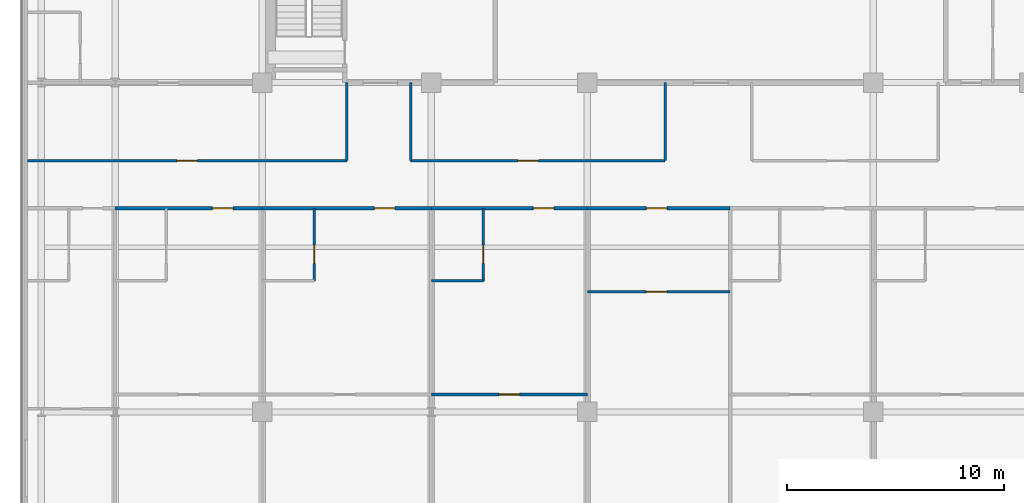
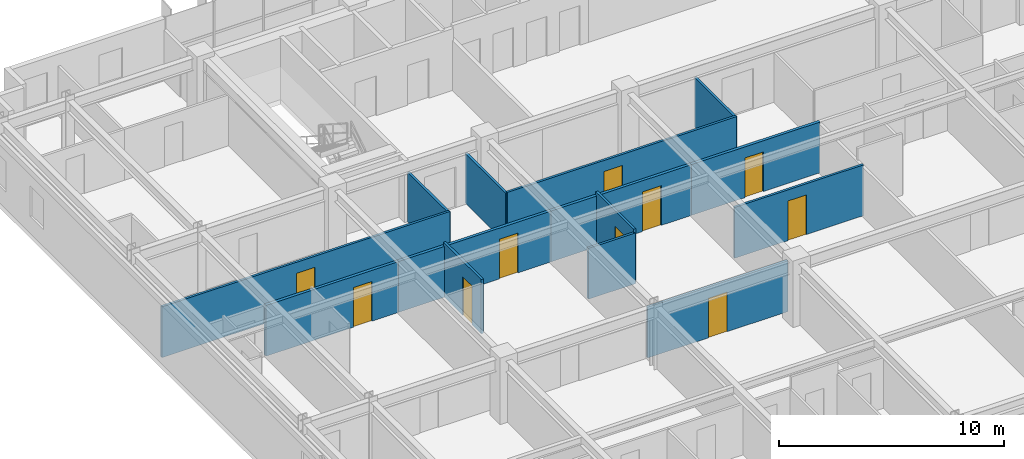
# One storey, part 16 of 24: 14 walls, 10 doors, 10 openings.
"""IFC4 building model written with IfcOpenShell, lengths in metres."""

from ifc_helpers import new_model, si_unit, direction, frame, frame_2d, origin, place, context, subcontext, project, spatial, rectangle, extrude, source, transform, mapped, material, layer, layer_set, type_object, element, fill, save


model = new_model("IFC4")

# Units and contexts
model_context = context("Model", 3, precision=1e-05, world=origin(), true_north=direction((0.0, 1.0)))
body_context = subcontext(model_context, "Body", "Model", "MODEL_VIEW")
ifc_project = project(units=[si_unit("LENGTHUNIT", "METRE"), si_unit("AREAUNIT", "SQUARE_METRE"), si_unit("VOLUMEUNIT", "CUBIC_METRE"), si_unit("PLANEANGLEUNIT", "RADIAN"), si_unit("MASSUNIT", "GRAM", prefix="KILO")], contexts=[model_context])

# Site, building, storey
site_placement = place(None, origin())
site = spatial("IfcSite", under=ifc_project, at=site_placement, CompositionType="ELEMENT")
building_placement = place(site_placement, origin())
building = spatial("IfcBuilding", under=site, at=building_placement, Name="Trelvane Seafront Commons", CompositionType="ELEMENT")
storey_placement = place(building_placement, frame((0.0, 0.0, 27.10009765625)))
storey = spatial("IfcBuildingStorey", under=building, at=storey_placement, Name="L06", CompositionType="ELEMENT", Elevation=27.10009765625)

# Wall, opening, door
ifc_material_1 = material(Name="Gypsum Drywall Acoustic Partition")
ifc_layer_1 = layer(ifc_material_1, 0.1201171875, Name="ARCH-WALL-PART120")
ifc_layer_set_1 = layer_set([ifc_layer_1], Name="Gypsum Drywall Acoustic Partition")
wall_type_1 = type_object("IfcWallType", Name="ARCH-WALL-PART120", PredefinedType="PARTITIONING", material=ifc_layer_set_1)
wall_1_placement = place(storey_placement, frame((4.75, 29.800048828125, 0.0), z_axis=(0.0, 0.0, 1.0), x_axis=(1.0, 0.0, 0.0)))
wall_1 = element("IfcWall", 1, at=wall_1_placement, inside=storey, type_object=wall_type_1, Name="W-L06-CORR-N-W-038", PredefinedType="PARTITIONING", context=body_context, shape_type="SweptSolid", body=[
    extrude(rectangle(XDim=14.75, YDim=0.1201171875, at=frame_2d((7.375, 0.0))), origin(), (0.0, 0.0, 1.0), 2.751953125),
])
opening_1_placement = place(wall_1_placement, frame((6.89990234375, 0.0, 0.0)))
opening_1 = element("IfcOpeningElement", 2, at=opening_1_placement, cuts=wall_1, Name="Opening D-L06-17", PredefinedType="OPENING", context=body_context, shape_type="SweptSolid", body=[
    extrude(rectangle(XDim=0.949951171875, YDim=2.14990234375, at=frame_2d((0.47509765625, 1.074951171875))), frame((0.0, 0.070068359375, 0.0), z_axis=(0.0, -1.0, 0.0), x_axis=(1.0, 0.0, 0.0)), (0.0, 0.0, 1.0), 0.14013671875),
])
ifc_material_2 = material(Name="Acoustic timber door leaf", Category="wood")
door_type_1 = type_object("IfcDoorType", Name="ARCH-DR-INT950", OperationType="NOTDEFINED", PredefinedType="DOOR", material=ifc_material_2)
shared_shape_1 = source(origin(), body_context, "Body", "SweptSolid", [
    extrude(rectangle(XDim=0.949951171875, YDim=2.14990234375, at=frame_2d((0.47509765625, 1.074951171875))), frame((0.0, 0.02490234375, 0.0), z_axis=(0.0, -1.0, 0.0), x_axis=(1.0, 0.0, 0.0)), (0.0, 0.0, 1.0), 0.050048828125),
])
door_1_placement = place(opening_1_placement, origin())
door_1 = element("IfcDoor", 3, at=door_1_placement, inside=storey, type_object=door_type_1, Name="L06 Door 17", OperationType="SINGLE_SWING_LEFT", OverallHeight=2.14990234375, OverallWidth=0.949951171875, PredefinedType="DOOR", context=body_context, shape_type="MappedRepresentation", body=[
    mapped(shared_shape_1, transform((0.0, 0.0, 0.0), x_axis=(1.0, 0.0, 0.0), y_axis=(0.0, 1.0, 0.0), z_axis=(0.0, 0.0, 1.0), scale=1.0)),
])
fill(opening_1, door_1)

wall_2_placement = place(storey_placement, frame((22.449951171875, 29.800048828125, 0.0), z_axis=(0.0, 0.0, 1.0), x_axis=(1.0, 0.0, 0.0)))
wall_2 = element("IfcWall", 4, at=wall_2_placement, inside=storey, type_object=wall_type_1, Name="W-L06-CORR-N-M1-039", PredefinedType="PARTITIONING", context=body_context, shape_type="SweptSolid", body=[
    extrude(rectangle(XDim=11.75, YDim=0.1201171875, at=frame_2d((5.875, 0.0))), origin(), (0.0, 0.0, 1.0), 2.751953125),
])
opening_2_placement = place(wall_2_placement, frame((4.944091796875, 0.0, 0.0)))
opening_2 = element("IfcOpeningElement", 5, at=opening_2_placement, cuts=wall_2, Name="Opening D-L06-18", PredefinedType="OPENING", context=body_context, shape_type="SweptSolid", body=[
    extrude(rectangle(XDim=0.949951171875, YDim=2.14990234375, at=frame_2d((0.47509765625, 1.074951171875))), frame((0.0, 0.070068359375, 0.0), z_axis=(0.0, -1.0, 0.0), x_axis=(1.0, 0.0, 0.0)), (0.0, 0.0, 1.0), 0.14013671875),
])
door_2_placement = place(opening_2_placement, origin())
door_2 = element("IfcDoor", 6, at=door_2_placement, inside=storey, type_object=door_type_1, Name="L06 Door 18", OperationType="SINGLE_SWING_RIGHT", OverallHeight=2.14990234375, OverallWidth=0.949951171875, PredefinedType="DOOR", context=body_context, shape_type="MappedRepresentation", body=[
    mapped(shared_shape_1, transform((0.0, 0.0, 0.0), x_axis=(1.0, 0.0, 0.0), y_axis=(0.0, 1.0, 0.0), z_axis=(0.0, 0.0, 1.0), scale=1.0)),
])
fill(opening_2, door_2)

# Walls
for number, where, z_axis, x_axis, name in (
    (7, (19.5, 29.800048828125, 0.0), (0.0, 0.0, 1.0), (0.0, 1.0, 0.0), "W-L06-N-SPUR-W1-043"),
    (8, (22.449951171875, 29.800048828125, 0.0), (0.0, 0.0, 1.0), (0.0, 1.0, 0.0), "W-L06-N-SPUR-W2-044"),
    (9, (34.199951171875, 29.800048828125, 0.0), (0.0, 0.0, 1.0), (0.0, 1.0, 0.0), "W-L06-N-SPUR-M1-045"),
):
    element("IfcWall", number, at=place(storey_placement, frame(where, z_axis=z_axis, x_axis=x_axis)), inside=storey, type_object=wall_type_1, Name=name, PredefinedType="PARTITIONING", context=body_context, shape_type="SweptSolid", body=[
        extrude(rectangle(XDim=3.599853515625, YDim=0.1201171875, at=frame_2d((1.7998046875, 0.0))), origin(), (0.0, 0.0, 1.0), 2.68994140625),
    ])

# Wall, opening, door
wall_3_placement = place(storey_placement, frame((18.0, 24.25, 0.0), z_axis=(0.0, 0.0, 1.0), x_axis=(0.0, 1.0, 0.0)))
wall_3 = element("IfcWall", 10, at=wall_3_placement, inside=storey, type_object=wall_type_1, Name="W-L06-U3-BE-086", PredefinedType="PARTITIONING", context=body_context, shape_type="SweptSolid", body=[
    extrude(rectangle(XDim=3.35009765625, YDim=0.1201171875, at=frame_2d((1.675048828125, 0.0))), origin(), (0.0, 0.0, 1.0), 2.93994140625),
])
opening_3_placement = place(wall_3_placement, frame((0.800048828125, 0.0, 0.0)))
opening_3 = element("IfcOpeningElement", 11, at=opening_3_placement, cuts=wall_3, Name="Opening D-L06-43", PredefinedType="OPENING", context=body_context, shape_type="SweptSolid", body=[
    extrude(rectangle(XDim=0.85009765625, YDim=2.10009765625, at=frame_2d((0.425048828125, 1.050048828125))), frame((0.0, 0.070068359375, 0.0), z_axis=(0.0, -1.0, 0.0), x_axis=(1.0, 0.0, 0.0)), (0.0, 0.0, 1.0), 0.14013671875),
])
door_type_2 = type_object("IfcDoorType", Name="ARCH-DR-INT850", OperationType="NOTDEFINED", PredefinedType="DOOR", material=ifc_material_2)
shared_shape_2 = source(origin(), body_context, "Body", "SweptSolid", [
    extrude(rectangle(XDim=0.85009765625, YDim=2.10009765625, at=frame_2d((0.425048828125, 1.050048828125))), frame((0.0, 0.02490234375, 0.0), z_axis=(0.0, -1.0, 0.0), x_axis=(1.0, 0.0, 0.0)), (0.0, 0.0, 1.0), 0.050048828125),
])
door_3_placement = place(opening_3_placement, origin())
door_3 = element("IfcDoor", 12, at=door_3_placement, inside=storey, type_object=door_type_2, Name="L06 Door 43", OperationType="SINGLE_SWING_LEFT", OverallHeight=2.10009765625, OverallWidth=0.85009765625, PredefinedType="DOOR", context=body_context, shape_type="MappedRepresentation", body=[
    mapped(shared_shape_2, transform((0.0, 0.0, 0.0), x_axis=(1.0, 0.0, 0.0), y_axis=(0.0, 1.0, 0.0), z_axis=(0.0, 0.0, 1.0), scale=1.0)),
])
fill(opening_3, door_3)

wall_4_placement = place(storey_placement, frame((23.39990234375, 19.0, 0.0), z_axis=(0.0, 0.0, 1.0), x_axis=(1.0, 0.0, 0.0)))
wall_4 = element("IfcWall", 13, at=wall_4_placement, inside=storey, type_object=wall_type_1, Name="W-L06-U4-KL-092", PredefinedType="PARTITIONING", context=body_context, shape_type="SweptSolid", body=[
    extrude(rectangle(XDim=7.2001953125, YDim=0.1201171875, at=frame_2d((3.60009765625, 0.0))), origin(), (0.0, 0.0, 1.0), 2.751953125),
])
opening_4_placement = place(wall_4_placement, frame((3.125, 0.0, 0.0)))
opening_4 = element("IfcOpeningElement", 14, at=opening_4_placement, cuts=wall_4, Name="Opening D-L06-47", PredefinedType="OPENING", context=body_context, shape_type="SweptSolid", body=[
    extrude(rectangle(XDim=0.949951171875, YDim=2.14990234375, at=frame_2d((0.47509765625, 1.074951171875))), frame((0.0, 0.070068359375, 0.0), z_axis=(0.0, -1.0, 0.0), x_axis=(1.0, 0.0, 0.0)), (0.0, 0.0, 1.0), 0.14013671875),
])
door_4_placement = place(opening_4_placement, origin())
door_4 = element("IfcDoor", 15, at=door_4_placement, inside=storey, type_object=door_type_1, Name="L06 Door 47", OperationType="SINGLE_SWING_LEFT", OverallHeight=2.14990234375, OverallWidth=0.949951171875, PredefinedType="DOOR", context=body_context, shape_type="MappedRepresentation", body=[
    mapped(shared_shape_1, transform((0.0, 0.0, 0.0), x_axis=(1.0, 0.0, 0.0), y_axis=(0.0, 1.0, 0.0), z_axis=(0.0, 0.0, 1.0), scale=1.0)),
])
fill(opening_4, door_4)

wall_5_placement = place(storey_placement, frame((25.800048828125, 24.25, 0.0), z_axis=(0.0, 0.0, 1.0), x_axis=(0.0, 1.0, 0.0)))
wall_5 = element("IfcWall", 16, at=wall_5_placement, inside=storey, type_object=wall_type_1, Name="W-L06-U4-BE-093", PredefinedType="PARTITIONING", context=body_context, shape_type="SweptSolid", body=[
    extrude(rectangle(XDim=3.35009765625, YDim=0.1201171875, at=frame_2d((1.675048828125, 0.0))), origin(), (0.0, 0.0, 1.0), 2.93994140625),
])
opening_5_placement = place(wall_5_placement, frame((0.800048828125, 0.0, 0.0)))
opening_5 = element("IfcOpeningElement", 17, at=opening_5_placement, cuts=wall_5, Name="Opening D-L06-48", PredefinedType="OPENING", context=body_context, shape_type="SweptSolid", body=[
    extrude(rectangle(XDim=0.85009765625, YDim=2.10009765625, at=frame_2d((0.425048828125, 1.050048828125))), frame((0.0, 0.070068359375, 0.0), z_axis=(0.0, -1.0, 0.0), x_axis=(1.0, 0.0, 0.0)), (0.0, 0.0, 1.0), 0.14013671875),
])
door_5_placement = place(opening_5_placement, origin())
door_5 = element("IfcDoor", 18, at=door_5_placement, inside=storey, type_object=door_type_2, Name="L06 Door 48", OperationType="SINGLE_SWING_RIGHT", OverallHeight=2.10009765625, OverallWidth=0.85009765625, PredefinedType="DOOR", context=body_context, shape_type="MappedRepresentation", body=[
    mapped(shared_shape_2, transform((0.0, 0.0, 0.0), x_axis=(1.0, 0.0, 0.0), y_axis=(0.0, 1.0, 0.0), z_axis=(0.0, 0.0, 1.0), scale=1.0)),
])
fill(opening_5, door_5)

# Wall
wall_6_placement = place(storey_placement, frame((23.39990234375, 24.25, 0.0), z_axis=(0.0, 0.0, 1.0), x_axis=(1.0, 0.0, 0.0)))
element("IfcWall", 19, at=wall_6_placement, inside=storey, type_object=wall_type_1, Name="W-L06-U4-BS-094", PredefinedType="PARTITIONING", context=body_context, shape_type="SweptSolid", body=[
    extrude(rectangle(XDim=2.400146484375, YDim=0.1201171875, at=frame_2d((1.2001953125, 0.0))), origin(), (0.0, 0.0, 1.0), 2.751953125),
])

# Wall, opening, door
wall_7_placement = place(storey_placement, frame((30.60009765625, 23.75, 0.0), z_axis=(0.0, 0.0, 1.0), x_axis=(1.0, 0.0, 0.0)))
wall_7 = element("IfcWall", 20, at=wall_7_placement, inside=storey, type_object=wall_type_1, Name="W-L06-U5-DIV-102", PredefinedType="PARTITIONING", context=body_context, shape_type="SweptSolid", body=[
    extrude(rectangle(XDim=6.599853515625, YDim=0.1201171875, at=frame_2d((3.2998046875, 0.0))), origin(), (0.0, 0.0, 1.0), 2.751953125),
])
opening_6_placement = place(wall_7_placement, frame((2.73388671875, 0.0, 0.0)))
opening_6 = element("IfcOpeningElement", 21, at=opening_6_placement, cuts=wall_7, Name="Opening D-L06-54", PredefinedType="OPENING", context=body_context, shape_type="SweptSolid", body=[
    extrude(rectangle(XDim=0.949951171875, YDim=2.14990234375, at=frame_2d((0.47509765625, 1.074951171875))), frame((0.0, 0.070068359375, 0.0), z_axis=(0.0, -1.0, 0.0), x_axis=(1.0, 0.0, 0.0)), (0.0, 0.0, 1.0), 0.14013671875),
])
door_6_placement = place(opening_6_placement, origin())
door_6 = element("IfcDoor", 22, at=door_6_placement, inside=storey, type_object=door_type_1, Name="L06 Door 54", OperationType="SINGLE_SWING_RIGHT", OverallHeight=2.14990234375, OverallWidth=0.949951171875, PredefinedType="DOOR", context=body_context, shape_type="MappedRepresentation", body=[
    mapped(shared_shape_1, transform((0.0, 0.0, 0.0), x_axis=(1.0, 0.0, 0.0), y_axis=(0.0, 1.0, 0.0), z_axis=(0.0, 0.0, 1.0), scale=1.0)),
])
fill(opening_6, door_6)

ifc_layer_2 = layer(ifc_material_1, 0.14990234375, Name="ARCH-WALL-PART150")
ifc_layer_set_2 = layer_set([ifc_layer_2], Name="Gypsum Drywall Acoustic Partition")
wall_type_2 = type_object("IfcWallType", Name="ARCH-WALL-PART150", PredefinedType="PARTITIONING", material=ifc_layer_set_2)
wall_8_placement = place(storey_placement, frame((8.800048828125, 27.60009765625, 0.0), z_axis=(0.0, 0.0, 1.0), x_axis=(1.0, 0.0, 0.0)))
wall_8 = element("IfcWall", 23, at=wall_8_placement, inside=storey, type_object=wall_type_2, Name="W-L06-CS-BAY-2-081", PredefinedType="PARTITIONING", context=body_context, shape_type="SweptSolid", body=[
    extrude(rectangle(XDim=6.800048828125, YDim=0.14990234375, at=frame_2d((3.39990234375, 0.0))), origin(), (0.0, 0.0, 1.0), 2.751953125),
])
opening_7_placement = place(wall_8_placement, frame((4.489990234375, 0.0, 0.0)))
opening_7 = element("IfcOpeningElement", 24, at=opening_7_placement, cuts=wall_8, Name="Opening FD-L06-39", PredefinedType="OPENING", context=body_context, shape_type="SweptSolid", body=[
    extrude(rectangle(XDim=0.949951171875, YDim=2.14990234375, at=frame_2d((0.47509765625, 1.074951171875))), frame((0.0, 0.0849609375, 0.0), z_axis=(0.0, -1.0, 0.0), x_axis=(1.0, 0.0, 0.0)), (0.0, 0.0, 1.0), 0.169921875),
])
ifc_material_3 = material(Name="Powder-coated aluminium frame", Category="aluminium")
door_type_3 = type_object("IfcDoorType", Name="ARCH-DR-FD60-950", OperationType="NOTDEFINED", PredefinedType="DOOR", material=ifc_material_3)
door_7_placement = place(opening_7_placement, origin())
door_7 = element("IfcDoor", 25, at=door_7_placement, inside=storey, type_object=door_type_3, Name="L06 Unit 02 Entrance Door", OperationType="SINGLE_SWING_LEFT", OverallHeight=2.14990234375, OverallWidth=0.949951171875, PredefinedType="DOOR", context=body_context, shape_type="MappedRepresentation", body=[
    mapped(shared_shape_1, transform((0.0, 0.0, 0.0), x_axis=(1.0, 0.0, 0.0), y_axis=(0.0, 1.0, 0.0), z_axis=(0.0, 0.0, 1.0), scale=1.0)),
])
fill(opening_7, door_7)

wall_9_placement = place(storey_placement, frame((15.60009765625, 27.60009765625, 0.0), z_axis=(0.0, 0.0, 1.0), x_axis=(1.0, 0.0, 0.0)))
wall_9 = element("IfcWall", 26, at=wall_9_placement, inside=storey, type_object=wall_type_2, Name="W-L06-CS-BAY-3-088", PredefinedType="PARTITIONING", context=body_context, shape_type="SweptSolid", body=[
    extrude(rectangle(XDim=7.7998046875, YDim=0.14990234375, at=frame_2d((3.89990234375, 0.0))), origin(), (0.0, 0.0, 1.0), 2.751953125),
])
opening_8_placement = place(wall_9_placement, frame((5.172119140625, 0.0, 0.0)))
opening_8 = element("IfcOpeningElement", 27, at=opening_8_placement, cuts=wall_9, Name="Opening FD-L06-44", PredefinedType="OPENING", context=body_context, shape_type="SweptSolid", body=[
    extrude(rectangle(XDim=0.949951171875, YDim=2.14990234375, at=frame_2d((0.47509765625, 1.074951171875))), frame((0.0, 0.0849609375, 0.0), z_axis=(0.0, -1.0, 0.0), x_axis=(1.0, 0.0, 0.0)), (0.0, 0.0, 1.0), 0.169921875),
])
door_8_placement = place(opening_8_placement, origin())
door_8 = element("IfcDoor", 28, at=door_8_placement, inside=storey, type_object=door_type_3, Name="L06 Unit 03 Entrance Door", OperationType="SINGLE_SWING_RIGHT", OverallHeight=2.14990234375, OverallWidth=0.949951171875, PredefinedType="DOOR", context=body_context, shape_type="MappedRepresentation", body=[
    mapped(shared_shape_1, transform((0.0, 0.0, 0.0), x_axis=(1.0, 0.0, 0.0), y_axis=(0.0, 1.0, 0.0), z_axis=(0.0, 0.0, 1.0), scale=1.0)),
])
fill(opening_8, door_8)

wall_10_placement = place(storey_placement, frame((23.39990234375, 27.60009765625, 0.0), z_axis=(0.0, 0.0, 1.0), x_axis=(1.0, 0.0, 0.0)))
wall_10 = element("IfcWall", 29, at=wall_10_placement, inside=storey, type_object=wall_type_2, Name="W-L06-CS-BAY-4-095", PredefinedType="PARTITIONING", context=body_context, shape_type="SweptSolid", body=[
    extrude(rectangle(XDim=7.2001953125, YDim=0.14990234375, at=frame_2d((3.60009765625, 0.0))), origin(), (0.0, 0.0, 1.0), 2.751953125),
])
opening_9_placement = place(wall_10_placement, frame((4.7060546875, 0.0, 0.0)))
opening_9 = element("IfcOpeningElement", 30, at=opening_9_placement, cuts=wall_10, Name="Opening FD-L06-49", PredefinedType="OPENING", context=body_context, shape_type="SweptSolid", body=[
    extrude(rectangle(XDim=0.949951171875, YDim=2.14990234375, at=frame_2d((0.47509765625, 1.074951171875))), frame((0.0, 0.0849609375, 0.0), z_axis=(0.0, -1.0, 0.0), x_axis=(1.0, 0.0, 0.0)), (0.0, 0.0, 1.0), 0.169921875),
])
door_9_placement = place(opening_9_placement, origin())
door_9 = element("IfcDoor", 31, at=door_9_placement, inside=storey, type_object=door_type_3, Name="L06 Unit 04 Entrance Door", OperationType="SINGLE_SWING_LEFT", OverallHeight=2.14990234375, OverallWidth=0.949951171875, PredefinedType="DOOR", context=body_context, shape_type="MappedRepresentation", body=[
    mapped(shared_shape_1, transform((0.0, 0.0, 0.0), x_axis=(1.0, 0.0, 0.0), y_axis=(0.0, 1.0, 0.0), z_axis=(0.0, 0.0, 1.0), scale=1.0)),
])
fill(opening_9, door_9)

wall_11_placement = place(storey_placement, frame((30.60009765625, 27.60009765625, 0.0), z_axis=(0.0, 0.0, 1.0), x_axis=(1.0, 0.0, 0.0)))
wall_11 = element("IfcWall", 32, at=wall_11_placement, inside=storey, type_object=wall_type_2, Name="W-L06-CS-BAY-5-101", PredefinedType="PARTITIONING", context=body_context, shape_type="SweptSolid", body=[
    extrude(rectangle(XDim=6.599853515625, YDim=0.14990234375, at=frame_2d((3.2998046875, 0.0))), origin(), (0.0, 0.0, 1.0), 2.751953125),
])
opening_10_placement = place(wall_11_placement, frame((2.73388671875, 0.0, 0.0)))
opening_10 = element("IfcOpeningElement", 33, at=opening_10_placement, cuts=wall_11, Name="Opening FD-L06-53", PredefinedType="OPENING", context=body_context, shape_type="SweptSolid", body=[
    extrude(rectangle(XDim=0.949951171875, YDim=2.14990234375, at=frame_2d((0.47509765625, 1.074951171875))), frame((0.0, 0.0849609375, 0.0), z_axis=(0.0, -1.0, 0.0), x_axis=(1.0, 0.0, 0.0)), (0.0, 0.0, 1.0), 0.169921875),
])
door_10_placement = place(opening_10_placement, origin())
door_10 = element("IfcDoor", 34, at=door_10_placement, inside=storey, type_object=door_type_3, Name="L06 Bay 05 Entrance Door", OperationType="SINGLE_SWING_LEFT", OverallHeight=2.14990234375, OverallWidth=0.949951171875, PredefinedType="DOOR", context=body_context, shape_type="MappedRepresentation", body=[
    mapped(shared_shape_1, transform((0.0, 0.0, 0.0), x_axis=(1.0, 0.0, 0.0), y_axis=(0.0, 1.0, 0.0), z_axis=(0.0, 0.0, 1.0), scale=1.0)),
])
fill(opening_10, door_10)

save(model, "model.ifc")
